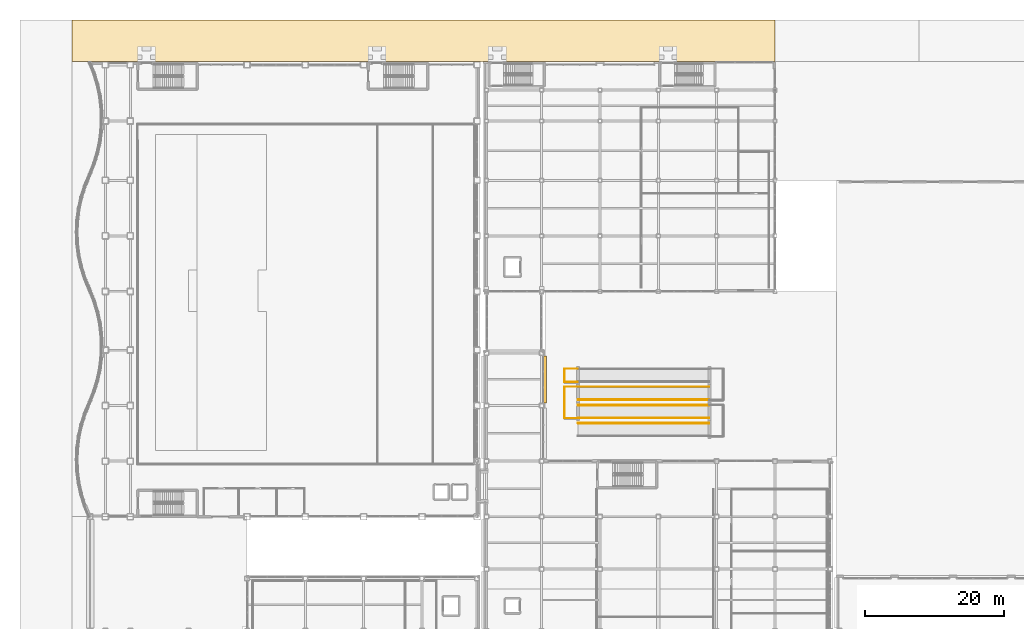
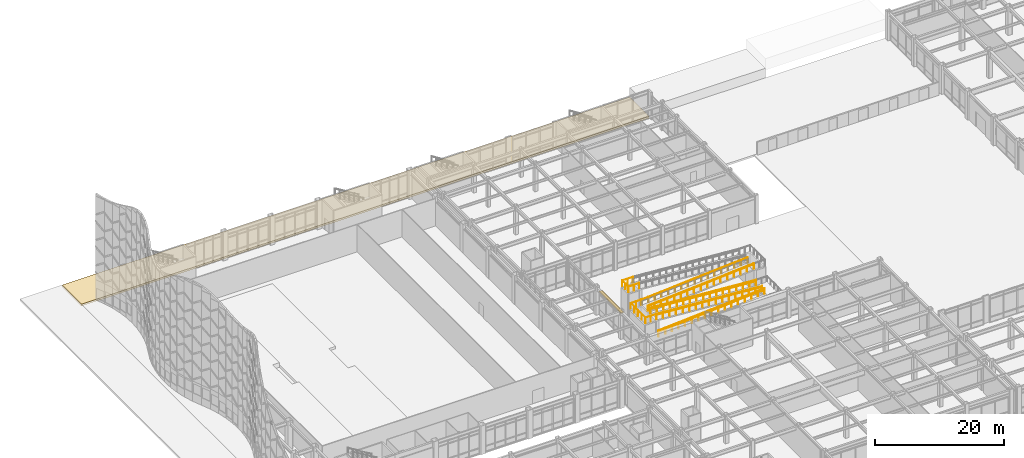
# One storey, part 158 of 165: 15 railings, 1 covering, 1 shading device.
"""IFC4 building model written with IfcOpenShell, lengths in metres."""

from ifc_helpers import new_model, si_unit, direction, frame, origin, origin_2d, place, context, subcontext, project, spatial, polyline, rectangle, circle, outline, extrude, material, layer, layer_set, type_object, element, save


model = new_model("IFC4")

# Units and contexts
model_context = context("Model", 3, precision=1e-05, world=origin(), true_north=direction((0.0, 1.0)))
body_context = subcontext(model_context, "Body", "Model", "MODEL_VIEW")
ifc_project = project(units=[si_unit("LENGTHUNIT", "METRE"), si_unit("AREAUNIT", "SQUARE_METRE"), si_unit("VOLUMEUNIT", "CUBIC_METRE"), si_unit("PLANEANGLEUNIT", "RADIAN"), si_unit("MASSUNIT", "GRAM", prefix="KILO")], contexts=[model_context])

# Site, building, storey
site_placement = place(None, origin())
site = spatial("IfcSite", under=ifc_project, at=site_placement, CompositionType="ELEMENT")
building_placement = place(site_placement, origin())
building = spatial("IfcBuilding", under=site, at=building_placement, Name="Kazehara Bluff Congress Hotel", CompositionType="ELEMENT")
storey_placement = place(building_placement, origin())
storey = spatial("IfcBuildingStorey", under=building, at=storey_placement, Name="L00", CompositionType="ELEMENT", Elevation=0.0)

# Railings
ifc_material_1 = material(Name="Painted galvanised steel", Category="steel")
railing_type_1 = type_object("IfcRailingType", Name="TP-GRD-EXT", PredefinedType="BALUSTRADE", material=ifc_material_1)
railing_1_placement = place(storey_placement, frame((70.93994140625, 62.639892578125, 2.699951171875)))
element("IfcRailing", 1, at=railing_1_placement, inside=storey, type_object=railing_type_1, Name="Accessible bluff garden ramp R2 landing guard L2", PredefinedType="BALUSTRADE", context=body_context, shape_type="SweptSolid", body=[
    extrude(circle(Radius=0.02392578125, at=origin_2d()), frame((0.0, 0.0, 1.076171875), z_axis=(1.0, 0.0, 0.0), x_axis=(0.0, 1.0, 0.0)), (0.0, 0.0, 1.0), 1.920166015625),
    extrude(circle(Radius=0.02099609375, at=origin_2d()), origin(), (0.0, 0.0, 1.0), 1.052001953125),
    extrude(circle(Radius=0.02099609375, at=origin_2d()), frame((0.9599609375, 0.0, 0.0)), (0.0, 0.0, 1.0), 1.052001953125),
    extrude(circle(Radius=0.02099609375, at=origin_2d()), frame((1.920166015625, 0.0, 0.0)), (0.0, 0.0, 1.0), 1.052001953125),
])
railing_2_placement = place(storey_placement, frame((70.93994140625, 62.639892578125, 2.699951171875)))
element("IfcRailing", 2, at=railing_2_placement, inside=storey, type_object=railing_type_1, Name="Accessible bluff garden ramp R2 landing guard L2", PredefinedType="BALUSTRADE", context=body_context, shape_type="SweptSolid", body=[
    extrude(circle(Radius=0.02392578125, at=origin_2d()), frame((0.0, 0.0, 1.076171875), z_axis=(0.0, 1.0, 0.0), x_axis=(-1.0, 0.0, 0.0)), (0.0, 0.0, 1.0), 4.52001953125),
    extrude(circle(Radius=0.02099609375, at=origin_2d()), origin(), (0.0, 0.0, 1.0), 1.052001953125),
    extrude(circle(Radius=0.02099609375, at=origin_2d()), frame((0.0, 1.1298828125, 0.0)), (0.0, 0.0, 1.0), 1.052001953125),
    extrude(circle(Radius=0.02099609375, at=origin_2d()), frame((0.0, 2.260009765625, 0.0)), (0.0, 0.0, 1.0), 1.052001953125),
    extrude(circle(Radius=0.02099609375, at=origin_2d()), frame((0.0, 3.39013671875, 0.0)), (0.0, 0.0, 1.0), 1.052001953125),
    extrude(circle(Radius=0.02099609375, at=origin_2d()), frame((0.0, 4.52001953125, 0.0)), (0.0, 0.0, 1.0), 1.052001953125),
])
for number, where, name in (
    (3, (70.93994140625, 67.159912109375, 2.699951171875), "Accessible bluff garden ramp R2 landing guard L2"),
    (4, (70.93994140625, 67.840087890625, 5.39990234375), "Accessible bluff garden ramp R2 landing guard L4"),
):
    element("IfcRailing", number, at=place(storey_placement, frame(where)), inside=storey, type_object=railing_type_1, Name=name, PredefinedType="BALUSTRADE", context=body_context, shape_type="SweptSolid", body=[
        extrude(circle(Radius=0.02392578125, at=origin_2d()), frame((0.0, 0.0, 1.076171875), z_axis=(1.0, 0.0, 0.0), x_axis=(0.0, 1.0, 0.0)), (0.0, 0.0, 1.0), 1.920166015625),
        extrude(circle(Radius=0.02099609375, at=origin_2d()), origin(), (0.0, 0.0, 1.0), 1.052001953125),
        extrude(circle(Radius=0.02099609375, at=origin_2d()), frame((0.9599609375, 0.0, 0.0)), (0.0, 0.0, 1.0), 1.052001953125),
        extrude(circle(Radius=0.02099609375, at=origin_2d()), frame((1.920166015625, 0.0, 0.0)), (0.0, 0.0, 1.0), 1.052001953125),
    ])
railing_3_placement = place(storey_placement, frame((70.93994140625, 67.840087890625, 5.39990234375)))
element("IfcRailing", 5, at=railing_3_placement, inside=storey, type_object=railing_type_1, Name="Accessible bluff garden ramp R2 landing guard L4", PredefinedType="BALUSTRADE", context=body_context, shape_type="SweptSolid", body=[
    extrude(circle(Radius=0.02392578125, at=origin_2d()), frame((0.0, 0.0, 1.076171875), z_axis=(0.0, 1.0, 0.0), x_axis=(-1.0, 0.0, 0.0)), (0.0, 0.0, 1.0), 1.919921875),
    extrude(circle(Radius=0.02099609375, at=origin_2d()), origin(), (0.0, 0.0, 1.0), 1.052001953125),
    extrude(circle(Radius=0.02099609375, at=origin_2d()), frame((0.0, 0.9599609375, 0.0)), (0.0, 0.0, 1.0), 1.052001953125),
    extrude(circle(Radius=0.02099609375, at=origin_2d()), frame((0.0, 1.919921875, 0.0)), (0.0, 0.0, 1.0), 1.052001953125),
])
railing_4_placement = place(storey_placement, frame((70.93994140625, 69.760009765625, 5.39990234375)))
element("IfcRailing", 6, at=railing_4_placement, inside=storey, type_object=railing_type_1, Name="Accessible bluff garden ramp R2 landing guard L4", PredefinedType="BALUSTRADE", context=body_context, shape_type="SweptSolid", body=[
    extrude(circle(Radius=0.02392578125, at=origin_2d()), frame((0.0, 0.0, 1.076171875), z_axis=(1.0, 0.0, 0.0), x_axis=(0.0, 1.0, 0.0)), (0.0, 0.0, 1.0), 1.920166015625),
    extrude(circle(Radius=0.02099609375, at=origin_2d()), origin(), (0.0, 0.0, 1.0), 1.052001953125),
    extrude(circle(Radius=0.02099609375, at=origin_2d()), frame((0.9599609375, 0.0, 0.0)), (0.0, 0.0, 1.0), 1.052001953125),
    extrude(circle(Radius=0.02099609375, at=origin_2d()), frame((1.920166015625, 0.0, 0.0)), (0.0, 0.0, 1.0), 1.052001953125),
])
railing_5_placement = place(storey_placement, frame((72.89990234375, 61.9599609375, 0.0)))
element("IfcRailing", 7, at=railing_5_placement, inside=storey, type_object=railing_type_1, Name="Accessible bluff garden ramp R2 edge guard F1-N", PredefinedType="BALUSTRADE", context=body_context, shape_type="SweptSolid", body=[
    extrude(circle(Radius=0.02392578125, at=origin_2d()), frame((0.0, 0.0, 1.076171875), z_axis=(0.997458372801, 0.0, 0.071251628258), x_axis=(0.0, 1.0, 0.0)), (0.0, 0.0, 1.0), 18.9482421875),
    extrude(circle(Radius=0.02099609375, at=origin_2d()), origin(), (0.0, 0.0, 1.0), 1.052001953125),
    extrude(circle(Radius=0.02099609375, at=origin_2d()), frame((1.18115234375, 0.0, 0.08447265625)), (0.0, 0.0, 1.0), 1.052001953125),
    extrude(circle(Radius=0.02099609375, at=origin_2d()), frame((2.362548828125, 0.0, 0.168701171875)), (0.0, 0.0, 1.0), 1.052001953125),
    extrude(circle(Radius=0.02099609375, at=origin_2d()), frame((3.543701171875, 0.0, 0.253173828125)), (0.0, 0.0, 1.0), 1.052001953125),
    extrude(circle(Radius=0.02099609375, at=origin_2d()), frame((4.72509765625, 0.0, 0.33740234375)), (0.0, 0.0, 1.0), 1.052001953125),
    extrude(circle(Radius=0.02099609375, at=origin_2d()), frame((5.90625, 0.0, 0.421875)), (0.0, 0.0, 1.0), 1.052001953125),
    extrude(circle(Radius=0.02099609375, at=origin_2d()), frame((7.087646484375, 0.0, 0.50634765625)), (0.0, 0.0, 1.0), 1.052001953125),
    extrude(circle(Radius=0.02099609375, at=origin_2d()), frame((8.268798828125, 0.0, 0.590576171875)), (0.0, 0.0, 1.0), 1.052001953125),
    extrude(circle(Radius=0.02099609375, at=origin_2d()), frame((9.4501953125, 0.0, 0.675048828125)), (0.0, 0.0, 1.0), 1.052001953125),
    extrude(circle(Radius=0.02099609375, at=origin_2d()), frame((10.63134765625, 0.0, 0.759521484375)), (0.0, 0.0, 1.0), 1.052001953125),
    extrude(circle(Radius=0.02099609375, at=origin_2d()), frame((11.8125, 0.0, 0.84375)), (0.0, 0.0, 1.0), 1.052001953125),
    extrude(circle(Radius=0.02099609375, at=origin_2d()), frame((12.993896484375, 0.0, 0.92822265625)), (0.0, 0.0, 1.0), 1.052001953125),
    extrude(circle(Radius=0.02099609375, at=origin_2d()), frame((14.175048828125, 0.0, 1.0126953125)), (0.0, 0.0, 1.0), 1.052001953125),
    extrude(circle(Radius=0.02099609375, at=origin_2d()), frame((15.3564453125, 0.0, 1.096923828125)), (0.0, 0.0, 1.0), 1.052001953125),
    extrude(circle(Radius=0.02099609375, at=origin_2d()), frame((16.53759765625, 0.0, 1.181396484375)), (0.0, 0.0, 1.0), 1.052001953125),
    extrude(circle(Radius=0.02099609375, at=origin_2d()), frame((17.718994140625, 0.0, 1.265625)), (0.0, 0.0, 1.0), 1.052001953125),
    extrude(circle(Radius=0.02099609375, at=origin_2d()), frame((18.900146484375, 0.0, 1.35009765625)), (0.0, 0.0, 1.0), 1.052001953125),
])
railing_6_placement = place(storey_placement, frame((91.800048828125, 62.639892578125, 1.35009765625)))
element("IfcRailing", 8, at=railing_6_placement, inside=storey, type_object=railing_type_1, Name="Accessible bluff garden ramp R2 edge guard F2-S", PredefinedType="BALUSTRADE", context=body_context, shape_type="SweptSolid", body=[
    extrude(circle(Radius=0.02392578125, at=origin_2d()), frame((0.0, 0.0, 1.076171875), z_axis=(-0.997459288432, 0.0, 0.07123880909), x_axis=(0.0, -1.0, 0.0)), (0.0, 0.0, 1.0), 18.9482421875),
    extrude(circle(Radius=0.02099609375, at=origin_2d()), origin(), (0.0, 0.0, 1.0), 1.052001953125),
    extrude(circle(Radius=0.02099609375, at=origin_2d()), frame((-1.18115234375, 0.0, 0.08447265625)), (0.0, 0.0, 1.0), 1.052001953125),
    extrude(circle(Radius=0.02099609375, at=origin_2d()), frame((-2.362548828125, 0.0, 0.168701171875)), (0.0, 0.0, 1.0), 1.052001953125),
    extrude(circle(Radius=0.02099609375, at=origin_2d()), frame((-3.543701171875, 0.0, 0.253173828125)), (0.0, 0.0, 1.0), 1.052001953125),
    extrude(circle(Radius=0.02099609375, at=origin_2d()), frame((-4.72509765625, 0.0, 0.33740234375)), (0.0, 0.0, 1.0), 1.052001953125),
    extrude(circle(Radius=0.02099609375, at=origin_2d()), frame((-5.90625, 0.0, 0.421875)), (0.0, 0.0, 1.0), 1.052001953125),
    extrude(circle(Radius=0.02099609375, at=origin_2d()), frame((-7.087646484375, 0.0, 0.506103515625)), (0.0, 0.0, 1.0), 1.052001953125),
    extrude(circle(Radius=0.02099609375, at=origin_2d()), frame((-8.268798828125, 0.0, 0.590576171875)), (0.0, 0.0, 1.0), 1.052001953125),
    extrude(circle(Radius=0.02099609375, at=origin_2d()), frame((-9.4501953125, 0.0, 0.6748046875)), (0.0, 0.0, 1.0), 1.052001953125),
    extrude(circle(Radius=0.02099609375, at=origin_2d()), frame((-10.63134765625, 0.0, 0.75927734375)), (0.0, 0.0, 1.0), 1.052001953125),
    extrude(circle(Radius=0.02099609375, at=origin_2d()), frame((-11.8125, 0.0, 0.84375)), (0.0, 0.0, 1.0), 1.052001953125),
    extrude(circle(Radius=0.02099609375, at=origin_2d()), frame((-12.993896484375, 0.0, 0.927978515625)), (0.0, 0.0, 1.0), 1.052001953125),
    extrude(circle(Radius=0.02099609375, at=origin_2d()), frame((-14.175048828125, 0.0, 1.012451171875)), (0.0, 0.0, 1.0), 1.052001953125),
    extrude(circle(Radius=0.02099609375, at=origin_2d()), frame((-15.3564453125, 0.0, 1.0966796875)), (0.0, 0.0, 1.0), 1.052001953125),
    extrude(circle(Radius=0.02099609375, at=origin_2d()), frame((-16.53759765625, 0.0, 1.18115234375)), (0.0, 0.0, 1.0), 1.052001953125),
    extrude(circle(Radius=0.02099609375, at=origin_2d()), frame((-17.718994140625, 0.0, 1.265380859375)), (0.0, 0.0, 1.0), 1.052001953125),
    extrude(circle(Radius=0.02099609375, at=origin_2d()), frame((-18.900146484375, 0.0, 1.349853515625)), (0.0, 0.0, 1.0), 1.052001953125),
])
railing_7_placement = place(storey_placement, frame((91.800048828125, 64.56005859375, 1.35009765625)))
element("IfcRailing", 9, at=railing_7_placement, inside=storey, type_object=railing_type_1, Name="Accessible bluff garden ramp R2 edge guard F2-N", PredefinedType="BALUSTRADE", context=body_context, shape_type="SweptSolid", body=[
    extrude(circle(Radius=0.02392578125, at=origin_2d()), frame((0.0, 0.0, 1.076171875), z_axis=(-0.997459288432, 0.0, 0.07123880909), x_axis=(0.0, -1.0, 0.0)), (0.0, 0.0, 1.0), 18.9482421875),
    extrude(circle(Radius=0.02099609375, at=origin_2d()), origin(), (0.0, 0.0, 1.0), 1.052001953125),
    extrude(circle(Radius=0.02099609375, at=origin_2d()), frame((-1.18115234375, 0.0, 0.08447265625)), (0.0, 0.0, 1.0), 1.052001953125),
    extrude(circle(Radius=0.02099609375, at=origin_2d()), frame((-2.362548828125, 0.0, 0.168701171875)), (0.0, 0.0, 1.0), 1.052001953125),
    extrude(circle(Radius=0.02099609375, at=origin_2d()), frame((-3.543701171875, 0.0, 0.253173828125)), (0.0, 0.0, 1.0), 1.052001953125),
    extrude(circle(Radius=0.02099609375, at=origin_2d()), frame((-4.72509765625, 0.0, 0.33740234375)), (0.0, 0.0, 1.0), 1.052001953125),
    extrude(circle(Radius=0.02099609375, at=origin_2d()), frame((-5.90625, 0.0, 0.421875)), (0.0, 0.0, 1.0), 1.052001953125),
    extrude(circle(Radius=0.02099609375, at=origin_2d()), frame((-7.087646484375, 0.0, 0.506103515625)), (0.0, 0.0, 1.0), 1.052001953125),
    extrude(circle(Radius=0.02099609375, at=origin_2d()), frame((-8.268798828125, 0.0, 0.590576171875)), (0.0, 0.0, 1.0), 1.052001953125),
    extrude(circle(Radius=0.02099609375, at=origin_2d()), frame((-9.4501953125, 0.0, 0.6748046875)), (0.0, 0.0, 1.0), 1.052001953125),
    extrude(circle(Radius=0.02099609375, at=origin_2d()), frame((-10.63134765625, 0.0, 0.75927734375)), (0.0, 0.0, 1.0), 1.052001953125),
    extrude(circle(Radius=0.02099609375, at=origin_2d()), frame((-11.8125, 0.0, 0.84375)), (0.0, 0.0, 1.0), 1.052001953125),
    extrude(circle(Radius=0.02099609375, at=origin_2d()), frame((-12.993896484375, 0.0, 0.927978515625)), (0.0, 0.0, 1.0), 1.052001953125),
    extrude(circle(Radius=0.02099609375, at=origin_2d()), frame((-14.175048828125, 0.0, 1.012451171875)), (0.0, 0.0, 1.0), 1.052001953125),
    extrude(circle(Radius=0.02099609375, at=origin_2d()), frame((-15.3564453125, 0.0, 1.0966796875)), (0.0, 0.0, 1.0), 1.052001953125),
    extrude(circle(Radius=0.02099609375, at=origin_2d()), frame((-16.53759765625, 0.0, 1.18115234375)), (0.0, 0.0, 1.0), 1.052001953125),
    extrude(circle(Radius=0.02099609375, at=origin_2d()), frame((-17.718994140625, 0.0, 1.265380859375)), (0.0, 0.0, 1.0), 1.052001953125),
    extrude(circle(Radius=0.02099609375, at=origin_2d()), frame((-18.900146484375, 0.0, 1.349853515625)), (0.0, 0.0, 1.0), 1.052001953125),
])
railing_8_placement = place(storey_placement, frame((72.89990234375, 65.239990234375, 2.699951171875)))
element("IfcRailing", 10, at=railing_8_placement, inside=storey, type_object=railing_type_1, Name="Accessible bluff garden ramp R2 edge guard F3-S", PredefinedType="BALUSTRADE", context=body_context, shape_type="SweptSolid", body=[
    extrude(circle(Radius=0.02392578125, at=origin_2d()), frame((0.0, 0.0, 1.076171875), z_axis=(0.997458372801, 0.0, 0.071251628258), x_axis=(0.0, 1.0, 0.0)), (0.0, 0.0, 1.0), 18.9482421875),
    extrude(circle(Radius=0.02099609375, at=origin_2d()), origin(), (0.0, 0.0, 1.0), 1.052001953125),
    extrude(circle(Radius=0.02099609375, at=origin_2d()), frame((1.18115234375, 0.0, 0.08447265625)), (0.0, 0.0, 1.0), 1.052001953125),
    extrude(circle(Radius=0.02099609375, at=origin_2d()), frame((2.362548828125, 0.0, 0.168701171875)), (0.0, 0.0, 1.0), 1.052001953125),
    extrude(circle(Radius=0.02099609375, at=origin_2d()), frame((3.543701171875, 0.0, 0.253173828125)), (0.0, 0.0, 1.0), 1.052001953125),
    extrude(circle(Radius=0.02099609375, at=origin_2d()), frame((4.72509765625, 0.0, 0.33740234375)), (0.0, 0.0, 1.0), 1.052001953125),
    extrude(circle(Radius=0.02099609375, at=origin_2d()), frame((5.90625, 0.0, 0.421875)), (0.0, 0.0, 1.0), 1.052001953125),
    extrude(circle(Radius=0.02099609375, at=origin_2d()), frame((7.087646484375, 0.0, 0.50634765625)), (0.0, 0.0, 1.0), 1.052001953125),
    extrude(circle(Radius=0.02099609375, at=origin_2d()), frame((8.268798828125, 0.0, 0.590576171875)), (0.0, 0.0, 1.0), 1.052001953125),
    extrude(circle(Radius=0.02099609375, at=origin_2d()), frame((9.4501953125, 0.0, 0.675048828125)), (0.0, 0.0, 1.0), 1.052001953125),
    extrude(circle(Radius=0.02099609375, at=origin_2d()), frame((10.63134765625, 0.0, 0.759521484375)), (0.0, 0.0, 1.0), 1.052001953125),
    extrude(circle(Radius=0.02099609375, at=origin_2d()), frame((11.8125, 0.0, 0.84375)), (0.0, 0.0, 1.0), 1.052001953125),
    extrude(circle(Radius=0.02099609375, at=origin_2d()), frame((12.993896484375, 0.0, 0.92822265625)), (0.0, 0.0, 1.0), 1.052001953125),
    extrude(circle(Radius=0.02099609375, at=origin_2d()), frame((14.175048828125, 0.0, 1.0126953125)), (0.0, 0.0, 1.0), 1.052001953125),
    extrude(circle(Radius=0.02099609375, at=origin_2d()), frame((15.3564453125, 0.0, 1.096923828125)), (0.0, 0.0, 1.0), 1.052001953125),
    extrude(circle(Radius=0.02099609375, at=origin_2d()), frame((16.53759765625, 0.0, 1.181396484375)), (0.0, 0.0, 1.0), 1.052001953125),
    extrude(circle(Radius=0.02099609375, at=origin_2d()), frame((17.718994140625, 0.0, 1.265625)), (0.0, 0.0, 1.0), 1.052001953125),
    extrude(circle(Radius=0.02099609375, at=origin_2d()), frame((18.900146484375, 0.0, 1.35009765625)), (0.0, 0.0, 1.0), 1.052001953125),
])
railing_9_placement = place(storey_placement, frame((72.89990234375, 67.159912109375, 2.699951171875)))
element("IfcRailing", 11, at=railing_9_placement, inside=storey, type_object=railing_type_1, Name="Accessible bluff garden ramp R2 edge guard F3-N", PredefinedType="BALUSTRADE", context=body_context, shape_type="SweptSolid", body=[
    extrude(circle(Radius=0.02392578125, at=origin_2d()), frame((0.0, 0.0, 1.076171875), z_axis=(0.997458372801, 0.0, 0.071251628258), x_axis=(0.0, 1.0, 0.0)), (0.0, 0.0, 1.0), 18.9482421875),
    extrude(circle(Radius=0.02099609375, at=origin_2d()), origin(), (0.0, 0.0, 1.0), 1.052001953125),
    extrude(circle(Radius=0.02099609375, at=origin_2d()), frame((1.18115234375, 0.0, 0.08447265625)), (0.0, 0.0, 1.0), 1.052001953125),
    extrude(circle(Radius=0.02099609375, at=origin_2d()), frame((2.362548828125, 0.0, 0.168701171875)), (0.0, 0.0, 1.0), 1.052001953125),
    extrude(circle(Radius=0.02099609375, at=origin_2d()), frame((3.543701171875, 0.0, 0.253173828125)), (0.0, 0.0, 1.0), 1.052001953125),
    extrude(circle(Radius=0.02099609375, at=origin_2d()), frame((4.72509765625, 0.0, 0.33740234375)), (0.0, 0.0, 1.0), 1.052001953125),
    extrude(circle(Radius=0.02099609375, at=origin_2d()), frame((5.90625, 0.0, 0.421875)), (0.0, 0.0, 1.0), 1.052001953125),
    extrude(circle(Radius=0.02099609375, at=origin_2d()), frame((7.087646484375, 0.0, 0.50634765625)), (0.0, 0.0, 1.0), 1.052001953125),
    extrude(circle(Radius=0.02099609375, at=origin_2d()), frame((8.268798828125, 0.0, 0.590576171875)), (0.0, 0.0, 1.0), 1.052001953125),
    extrude(circle(Radius=0.02099609375, at=origin_2d()), frame((9.4501953125, 0.0, 0.675048828125)), (0.0, 0.0, 1.0), 1.052001953125),
    extrude(circle(Radius=0.02099609375, at=origin_2d()), frame((10.63134765625, 0.0, 0.759521484375)), (0.0, 0.0, 1.0), 1.052001953125),
    extrude(circle(Radius=0.02099609375, at=origin_2d()), frame((11.8125, 0.0, 0.84375)), (0.0, 0.0, 1.0), 1.052001953125),
    extrude(circle(Radius=0.02099609375, at=origin_2d()), frame((12.993896484375, 0.0, 0.92822265625)), (0.0, 0.0, 1.0), 1.052001953125),
    extrude(circle(Radius=0.02099609375, at=origin_2d()), frame((14.175048828125, 0.0, 1.0126953125)), (0.0, 0.0, 1.0), 1.052001953125),
    extrude(circle(Radius=0.02099609375, at=origin_2d()), frame((15.3564453125, 0.0, 1.096923828125)), (0.0, 0.0, 1.0), 1.052001953125),
    extrude(circle(Radius=0.02099609375, at=origin_2d()), frame((16.53759765625, 0.0, 1.181396484375)), (0.0, 0.0, 1.0), 1.052001953125),
    extrude(circle(Radius=0.02099609375, at=origin_2d()), frame((17.718994140625, 0.0, 1.265625)), (0.0, 0.0, 1.0), 1.052001953125),
    extrude(circle(Radius=0.02099609375, at=origin_2d()), frame((18.900146484375, 0.0, 1.35009765625)), (0.0, 0.0, 1.0), 1.052001953125),
])
ifc_material_2 = material(Name="Painted galvanised steel", Category="steel")
railing_type_2 = type_object("IfcRailingType", Name="TP-HR-RMP", PredefinedType="HANDRAIL", material=ifc_material_2)
railing_10_placement = place(storey_placement, frame((72.89990234375, 61.889892578125, 0.0)))
element("IfcRailing", 12, at=railing_10_placement, inside=storey, type_object=railing_type_2, Name="Accessible bluff garden ramp R2 handrail F1-N", PredefinedType="HANDRAIL", context=body_context, shape_type="SweptSolid", body=[
    extrude(circle(Radius=0.02392578125, at=origin_2d()), frame((0.0, 0.0, 0.8759765625), z_axis=(0.997458372801, 0.0, 0.071251628258), x_axis=(0.0, 1.0, 0.0)), (0.0, 0.0, 1.0), 18.9482421875),
    extrude(circle(Radius=0.02099609375, at=origin_2d()), origin(), (0.0, 0.0, 1.0), 0.851806640625),
    extrude(circle(Radius=0.02099609375, at=origin_2d()), frame((1.18115234375, 0.0, 0.08447265625)), (0.0, 0.0, 1.0), 0.851806640625),
    extrude(circle(Radius=0.02099609375, at=origin_2d()), frame((2.362548828125, 0.0, 0.168701171875)), (0.0, 0.0, 1.0), 0.851806640625),
    extrude(circle(Radius=0.02099609375, at=origin_2d()), frame((3.543701171875, 0.0, 0.253173828125)), (0.0, 0.0, 1.0), 0.851806640625),
    extrude(circle(Radius=0.02099609375, at=origin_2d()), frame((4.72509765625, 0.0, 0.33740234375)), (0.0, 0.0, 1.0), 0.851806640625),
    extrude(circle(Radius=0.02099609375, at=origin_2d()), frame((5.90625, 0.0, 0.421875)), (0.0, 0.0, 1.0), 0.851806640625),
    extrude(circle(Radius=0.02099609375, at=origin_2d()), frame((7.087646484375, 0.0, 0.50634765625)), (0.0, 0.0, 1.0), 0.851806640625),
    extrude(circle(Radius=0.02099609375, at=origin_2d()), frame((8.268798828125, 0.0, 0.590576171875)), (0.0, 0.0, 1.0), 0.851806640625),
    extrude(circle(Radius=0.02099609375, at=origin_2d()), frame((9.4501953125, 0.0, 0.675048828125)), (0.0, 0.0, 1.0), 0.851806640625),
    extrude(circle(Radius=0.02099609375, at=origin_2d()), frame((10.63134765625, 0.0, 0.759521484375)), (0.0, 0.0, 1.0), 0.851806640625),
    extrude(circle(Radius=0.02099609375, at=origin_2d()), frame((11.8125, 0.0, 0.84375)), (0.0, 0.0, 1.0), 0.851806640625),
    extrude(circle(Radius=0.02099609375, at=origin_2d()), frame((12.993896484375, 0.0, 0.92822265625)), (0.0, 0.0, 1.0), 0.851806640625),
    extrude(circle(Radius=0.02099609375, at=origin_2d()), frame((14.175048828125, 0.0, 1.0126953125)), (0.0, 0.0, 1.0), 0.851806640625),
    extrude(circle(Radius=0.02099609375, at=origin_2d()), frame((15.3564453125, 0.0, 1.096923828125)), (0.0, 0.0, 1.0), 0.851806640625),
    extrude(circle(Radius=0.02099609375, at=origin_2d()), frame((16.53759765625, 0.0, 1.181396484375)), (0.0, 0.0, 1.0), 0.851806640625),
    extrude(circle(Radius=0.02099609375, at=origin_2d()), frame((17.718994140625, 0.0, 1.265625)), (0.0, 0.0, 1.0), 0.851806640625),
    extrude(circle(Radius=0.02099609375, at=origin_2d()), frame((18.900146484375, 0.0, 1.35009765625)), (0.0, 0.0, 1.0), 0.851806640625),
])
railing_11_placement = place(storey_placement, frame((91.800048828125, 62.7099609375, 1.35009765625)))
element("IfcRailing", 13, at=railing_11_placement, inside=storey, type_object=railing_type_2, Name="Accessible bluff garden ramp R2 handrail F2-S", PredefinedType="HANDRAIL", context=body_context, shape_type="SweptSolid", body=[
    extrude(circle(Radius=0.02392578125, at=origin_2d()), frame((0.0, 0.0, 0.8759765625), z_axis=(-0.997459288432, 0.0, 0.07123880909), x_axis=(0.0, -1.0, 0.0)), (0.0, 0.0, 1.0), 18.9482421875),
    extrude(circle(Radius=0.02099609375, at=origin_2d()), origin(), (0.0, 0.0, 1.0), 0.851806640625),
    extrude(circle(Radius=0.02099609375, at=origin_2d()), frame((-1.18115234375, 0.0, 0.08447265625)), (0.0, 0.0, 1.0), 0.851806640625),
    extrude(circle(Radius=0.02099609375, at=origin_2d()), frame((-2.362548828125, 0.0, 0.168701171875)), (0.0, 0.0, 1.0), 0.851806640625),
    extrude(circle(Radius=0.02099609375, at=origin_2d()), frame((-3.543701171875, 0.0, 0.253173828125)), (0.0, 0.0, 1.0), 0.851806640625),
    extrude(circle(Radius=0.02099609375, at=origin_2d()), frame((-4.72509765625, 0.0, 0.33740234375)), (0.0, 0.0, 1.0), 0.851806640625),
    extrude(circle(Radius=0.02099609375, at=origin_2d()), frame((-5.90625, 0.0, 0.421875)), (0.0, 0.0, 1.0), 0.851806640625),
    extrude(circle(Radius=0.02099609375, at=origin_2d()), frame((-7.087646484375, 0.0, 0.506103515625)), (0.0, 0.0, 1.0), 0.851806640625),
    extrude(circle(Radius=0.02099609375, at=origin_2d()), frame((-8.268798828125, 0.0, 0.590576171875)), (0.0, 0.0, 1.0), 0.851806640625),
    extrude(circle(Radius=0.02099609375, at=origin_2d()), frame((-9.4501953125, 0.0, 0.6748046875)), (0.0, 0.0, 1.0), 0.851806640625),
    extrude(circle(Radius=0.02099609375, at=origin_2d()), frame((-10.63134765625, 0.0, 0.75927734375)), (0.0, 0.0, 1.0), 0.851806640625),
    extrude(circle(Radius=0.02099609375, at=origin_2d()), frame((-11.8125, 0.0, 0.84375)), (0.0, 0.0, 1.0), 0.851806640625),
    extrude(circle(Radius=0.02099609375, at=origin_2d()), frame((-12.993896484375, 0.0, 0.927978515625)), (0.0, 0.0, 1.0), 0.851806640625),
    extrude(circle(Radius=0.02099609375, at=origin_2d()), frame((-14.175048828125, 0.0, 1.012451171875)), (0.0, 0.0, 1.0), 0.851806640625),
    extrude(circle(Radius=0.02099609375, at=origin_2d()), frame((-15.3564453125, 0.0, 1.0966796875)), (0.0, 0.0, 1.0), 0.851806640625),
    extrude(circle(Radius=0.02099609375, at=origin_2d()), frame((-16.53759765625, 0.0, 1.18115234375)), (0.0, 0.0, 1.0), 0.851806640625),
    extrude(circle(Radius=0.02099609375, at=origin_2d()), frame((-17.718994140625, 0.0, 1.265380859375)), (0.0, 0.0, 1.0), 0.851806640625),
    extrude(circle(Radius=0.02099609375, at=origin_2d()), frame((-18.900146484375, 0.0, 1.349853515625)), (0.0, 0.0, 1.0), 0.851806640625),
])
railing_12_placement = place(storey_placement, frame((91.800048828125, 64.489990234375, 1.35009765625)))
element("IfcRailing", 14, at=railing_12_placement, inside=storey, type_object=railing_type_2, Name="Accessible bluff garden ramp R2 handrail F2-N", PredefinedType="HANDRAIL", context=body_context, shape_type="SweptSolid", body=[
    extrude(circle(Radius=0.02392578125, at=origin_2d()), frame((0.0, 0.0, 0.8759765625), z_axis=(-0.997459288432, 0.0, 0.07123880909), x_axis=(0.0, -1.0, 0.0)), (0.0, 0.0, 1.0), 18.9482421875),
    extrude(circle(Radius=0.02099609375, at=origin_2d()), origin(), (0.0, 0.0, 1.0), 0.851806640625),
    extrude(circle(Radius=0.02099609375, at=origin_2d()), frame((-1.18115234375, 0.0, 0.08447265625)), (0.0, 0.0, 1.0), 0.851806640625),
    extrude(circle(Radius=0.02099609375, at=origin_2d()), frame((-2.362548828125, 0.0, 0.168701171875)), (0.0, 0.0, 1.0), 0.851806640625),
    extrude(circle(Radius=0.02099609375, at=origin_2d()), frame((-3.543701171875, 0.0, 0.253173828125)), (0.0, 0.0, 1.0), 0.851806640625),
    extrude(circle(Radius=0.02099609375, at=origin_2d()), frame((-4.72509765625, 0.0, 0.33740234375)), (0.0, 0.0, 1.0), 0.851806640625),
    extrude(circle(Radius=0.02099609375, at=origin_2d()), frame((-5.90625, 0.0, 0.421875)), (0.0, 0.0, 1.0), 0.851806640625),
    extrude(circle(Radius=0.02099609375, at=origin_2d()), frame((-7.087646484375, 0.0, 0.506103515625)), (0.0, 0.0, 1.0), 0.851806640625),
    extrude(circle(Radius=0.02099609375, at=origin_2d()), frame((-8.268798828125, 0.0, 0.590576171875)), (0.0, 0.0, 1.0), 0.851806640625),
    extrude(circle(Radius=0.02099609375, at=origin_2d()), frame((-9.4501953125, 0.0, 0.6748046875)), (0.0, 0.0, 1.0), 0.851806640625),
    extrude(circle(Radius=0.02099609375, at=origin_2d()), frame((-10.63134765625, 0.0, 0.75927734375)), (0.0, 0.0, 1.0), 0.851806640625),
    extrude(circle(Radius=0.02099609375, at=origin_2d()), frame((-11.8125, 0.0, 0.84375)), (0.0, 0.0, 1.0), 0.851806640625),
    extrude(circle(Radius=0.02099609375, at=origin_2d()), frame((-12.993896484375, 0.0, 0.927978515625)), (0.0, 0.0, 1.0), 0.851806640625),
    extrude(circle(Radius=0.02099609375, at=origin_2d()), frame((-14.175048828125, 0.0, 1.012451171875)), (0.0, 0.0, 1.0), 0.851806640625),
    extrude(circle(Radius=0.02099609375, at=origin_2d()), frame((-15.3564453125, 0.0, 1.0966796875)), (0.0, 0.0, 1.0), 0.851806640625),
    extrude(circle(Radius=0.02099609375, at=origin_2d()), frame((-16.53759765625, 0.0, 1.18115234375)), (0.0, 0.0, 1.0), 0.851806640625),
    extrude(circle(Radius=0.02099609375, at=origin_2d()), frame((-17.718994140625, 0.0, 1.265380859375)), (0.0, 0.0, 1.0), 0.851806640625),
    extrude(circle(Radius=0.02099609375, at=origin_2d()), frame((-18.900146484375, 0.0, 1.349853515625)), (0.0, 0.0, 1.0), 0.851806640625),
])
railing_13_placement = place(storey_placement, frame((72.89990234375, 65.31005859375, 2.699951171875)))
element("IfcRailing", 15, at=railing_13_placement, inside=storey, type_object=railing_type_2, Name="Accessible bluff garden ramp R2 handrail F3-S", PredefinedType="HANDRAIL", context=body_context, shape_type="SweptSolid", body=[
    extrude(circle(Radius=0.02392578125, at=origin_2d()), frame((0.0, 0.0, 0.8759765625), z_axis=(0.997458372801, 0.0, 0.071251628258), x_axis=(0.0, 1.0, 0.0)), (0.0, 0.0, 1.0), 18.9482421875),
    extrude(circle(Radius=0.02099609375, at=origin_2d()), origin(), (0.0, 0.0, 1.0), 0.851806640625),
    extrude(circle(Radius=0.02099609375, at=origin_2d()), frame((1.18115234375, 0.0, 0.08447265625)), (0.0, 0.0, 1.0), 0.851806640625),
    extrude(circle(Radius=0.02099609375, at=origin_2d()), frame((2.362548828125, 0.0, 0.168701171875)), (0.0, 0.0, 1.0), 0.851806640625),
    extrude(circle(Radius=0.02099609375, at=origin_2d()), frame((3.543701171875, 0.0, 0.253173828125)), (0.0, 0.0, 1.0), 0.851806640625),
    extrude(circle(Radius=0.02099609375, at=origin_2d()), frame((4.72509765625, 0.0, 0.33740234375)), (0.0, 0.0, 1.0), 0.851806640625),
    extrude(circle(Radius=0.02099609375, at=origin_2d()), frame((5.90625, 0.0, 0.421875)), (0.0, 0.0, 1.0), 0.851806640625),
    extrude(circle(Radius=0.02099609375, at=origin_2d()), frame((7.087646484375, 0.0, 0.50634765625)), (0.0, 0.0, 1.0), 0.851806640625),
    extrude(circle(Radius=0.02099609375, at=origin_2d()), frame((8.268798828125, 0.0, 0.590576171875)), (0.0, 0.0, 1.0), 0.851806640625),
    extrude(circle(Radius=0.02099609375, at=origin_2d()), frame((9.4501953125, 0.0, 0.675048828125)), (0.0, 0.0, 1.0), 0.851806640625),
    extrude(circle(Radius=0.02099609375, at=origin_2d()), frame((10.63134765625, 0.0, 0.759521484375)), (0.0, 0.0, 1.0), 0.851806640625),
    extrude(circle(Radius=0.02099609375, at=origin_2d()), frame((11.8125, 0.0, 0.84375)), (0.0, 0.0, 1.0), 0.851806640625),
    extrude(circle(Radius=0.02099609375, at=origin_2d()), frame((12.993896484375, 0.0, 0.92822265625)), (0.0, 0.0, 1.0), 0.851806640625),
    extrude(circle(Radius=0.02099609375, at=origin_2d()), frame((14.175048828125, 0.0, 1.0126953125)), (0.0, 0.0, 1.0), 0.851806640625),
    extrude(circle(Radius=0.02099609375, at=origin_2d()), frame((15.3564453125, 0.0, 1.096923828125)), (0.0, 0.0, 1.0), 0.851806640625),
    extrude(circle(Radius=0.02099609375, at=origin_2d()), frame((16.53759765625, 0.0, 1.181396484375)), (0.0, 0.0, 1.0), 0.851806640625),
    extrude(circle(Radius=0.02099609375, at=origin_2d()), frame((17.718994140625, 0.0, 1.265625)), (0.0, 0.0, 1.0), 0.851806640625),
    extrude(circle(Radius=0.02099609375, at=origin_2d()), frame((18.900146484375, 0.0, 1.35009765625)), (0.0, 0.0, 1.0), 0.851806640625),
])

# Shading device
ifc_material_3 = material(Name="Anodised aluminium", Category="aluminium")
ifc_layer_1 = layer(ifc_material_3, 0.10009765625)
ifc_layer_set_1 = layer_set([ifc_layer_1], Name="Anodised aluminium")
shading_device_type = type_object("IfcShadingDeviceType", Name="TP-SHD-SCR", PredefinedType="USERDEFINED", material=ifc_layer_set_1)
shading_device_placement = place(storey_placement, frame((68.1201171875, 68.22509765625, 4.304931640625), z_axis=(0.0, 0.0, 1.0), x_axis=(1.0, 0.0, 0.0)))
element("IfcShadingDevice", 16, at=shading_device_placement, inside=storey, type_object=shading_device_type, Name="L00 V4 horizontal brise-soleil hood 10", ObjectType="SCREEN", PredefinedType="USERDEFINED", context=body_context, shape_type="SweptSolid", body=[
    extrude(rectangle(XDim=0.52001953125, YDim=6.800048828125, at=origin_2d()), origin(), (0.0, 0.0, 1.0), 0.10009765625),
])

# Covering
ifc_material_4 = material(Name="Granite stone site paving", Category="masonry")
ifc_layer_2 = layer(ifc_material_4, 0.35009765625)
ifc_layer_set_2 = layer_set([ifc_layer_2], Name="Granite stone site paving")
covering_type = type_object("IfcCoveringType", Name="TP-SITE-PAV", PredefinedType="FLOORING", material=ifc_layer_set_2)
covering_placement = place(storey_placement, frame((0.0, 0.0, -0.35009765625)))
element("IfcCovering", 17, at=covering_placement, inside=storey, type_object=covering_type, Name="Osaka bluff granite site terrace PAV-NORTH-LOW", PredefinedType="FLOORING", context=body_context, shape_type="SweptSolid", body=[
    extrude(outline(polyline([(0.0, 114.0), (101.25, 114.0), (101.25, 120.0), (0.0, 120.0), (0.0, 114.0)])), origin(), (0.0, 0.0, 1.0), 0.35009765625),
])

save(model, "model.ifc")
